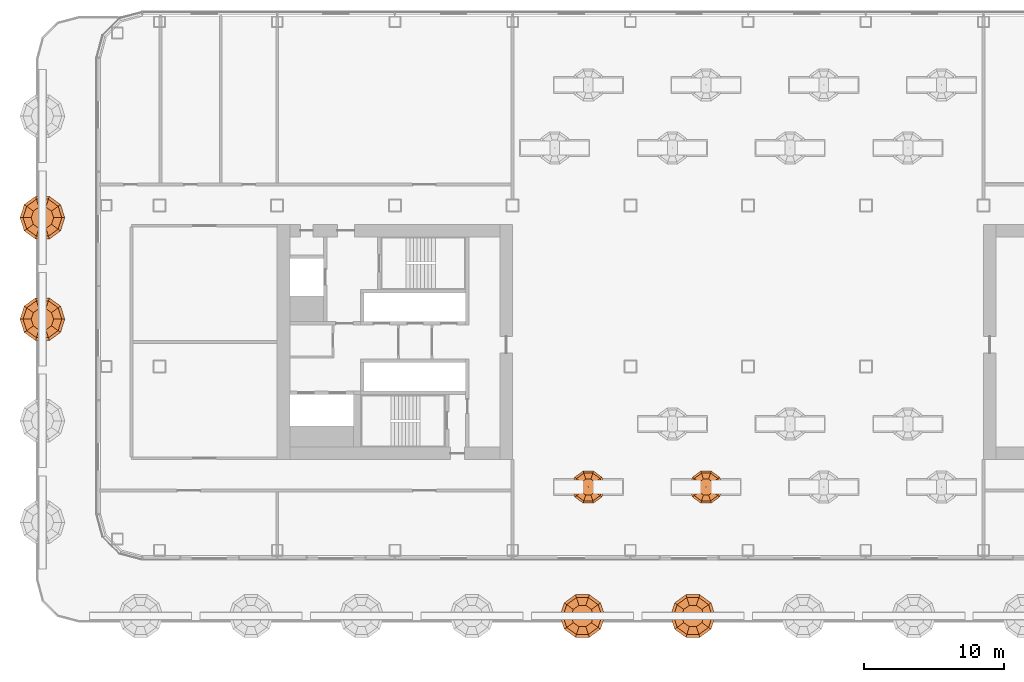
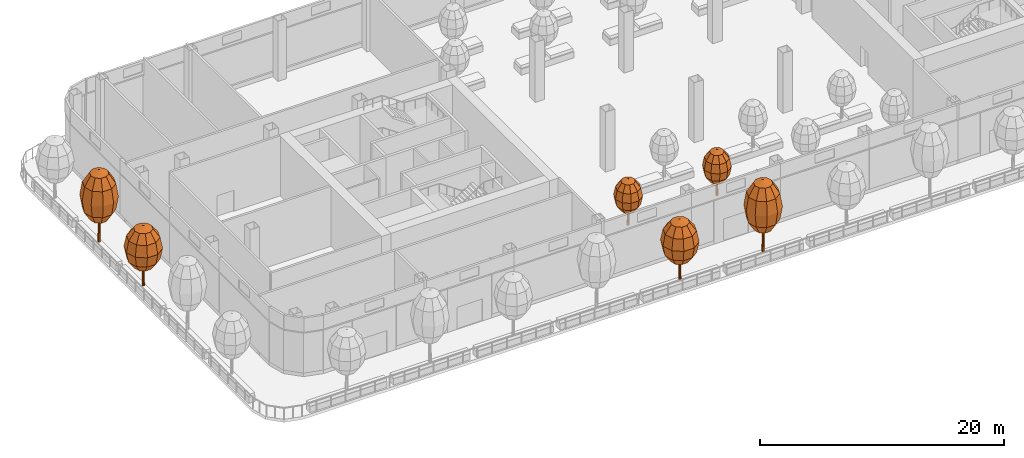
# One storey, part 39 of 44: 6 geographic elements.
"""IFC4 building model written with IfcOpenShell, lengths in metres."""

from ifc_helpers import new_model, si_unit, direction, frame, origin, place, context, subcontext, project, spatial, triangles, material, type_object, element, save


model = new_model("IFC4")

# Units and contexts
model_context = context("Model", 3, precision=1e-05, world=origin(), true_north=direction((0.0, 1.0)))
body_context = subcontext(model_context, "Body", "Model", "MODEL_VIEW")
ifc_project = project(units=[si_unit("LENGTHUNIT", "METRE"), si_unit("AREAUNIT", "SQUARE_METRE"), si_unit("VOLUMEUNIT", "CUBIC_METRE"), si_unit("PLANEANGLEUNIT", "RADIAN"), si_unit("MASSUNIT", "GRAM", prefix="KILO")], contexts=[model_context])

# Site, building, storey
site_placement = place(None, origin())
site = spatial("IfcSite", under=ifc_project, at=site_placement, CompositionType="ELEMENT")
building_placement = place(site_placement, origin())
building = spatial("IfcBuilding", under=site, at=building_placement, Name="Hakoniwa Tower and Hamabe Station Hall", CompositionType="ELEMENT")
storey_placement = place(building_placement, frame((0.0, 0.0, 69.0)))
storey = spatial("IfcBuildingStorey", under=building, at=storey_placement, Name="L19", CompositionType="ELEMENT", Elevation=69.0)

# Geographic elements
ifc_material_1 = material(Name="Tree foliage")
geographic_element_type_1 = type_object("IfcGeographicElementType", Name="Camellia 4.6 m", PredefinedType="USERDEFINED", material=ifc_material_1)
geographic_element_1_placement = place(storey_placement, frame((-11.39990234375, -10.35009765625, 0.60009765625)))
element("IfcGeographicElement", 1, at=geographic_element_1_placement, inside=storey, type_object=geographic_element_type_1, Name="Camellia 4-6 m", ObjectType="TREE", PredefinedType="USERDEFINED", context=body_context, shape_type="Tessellation", body=[
    triangles([(0.125, 0.0, 0.0), (0.08837890625, 0.08837890625, 0.0), (0.0, 0.125, 0.0), (-0.08837890625, 0.08837890625, 0.0), (-0.125, 0.0, 0.0), (-0.08837890625, -0.08837890625, 0.0), (0.0, -0.125, 0.0), (0.08837890625, -0.08837890625, 0.0), (0.074951171875, 0.0, 2.778564453125), (0.052978515625, 0.052978515625, 2.778564453125), (0.0, 0.074951171875, 2.778564453125), (-0.052978515625, 0.052978515625, 2.778564453125), (-0.074951171875, 0.0, 2.778564453125), (-0.052978515625, -0.052978515625, 2.778564453125), (0.0, -0.074951171875, 2.778564453125), (0.052978515625, -0.052978515625, 2.778564453125), (0.0, 0.0, 0.0), (0.0, 0.0, 2.778564453125)], [[1, 2, 10], [1, 10, 9], [17, 2, 1], [18, 9, 10], [2, 3, 11], [2, 11, 10], [17, 3, 2], [18, 10, 11], [3, 4, 12], [3, 12, 11], [17, 4, 3], [18, 11, 12], [4, 5, 13], [4, 13, 12], [17, 5, 4], [18, 12, 13], [5, 6, 14], [5, 14, 13], [17, 6, 5], [18, 13, 14], [6, 7, 15], [6, 15, 14], [17, 7, 6], [18, 14, 15], [7, 8, 16], [7, 16, 15], [17, 8, 7], [18, 15, 16], [8, 1, 9], [8, 9, 16], [17, 1, 8], [18, 16, 9]], closed=True),
    triangles([(0.0, 0.0, 1.2880859375), (0.599853515625, 0.0, 1.510009765625), (0.4853515625, 0.3525390625, 1.510009765625), (0.185302734375, 0.570556640625, 1.510009765625), (-0.185302734375, 0.570556640625, 1.510009765625), (-0.4853515625, 0.3525390625, 1.510009765625), (-0.599853515625, 0.0, 1.510009765625), (-0.4853515625, -0.3525390625, 1.510009765625), (-0.185302734375, -0.570556640625, 1.510009765625), (0.185302734375, -0.570556640625, 1.510009765625), (0.4853515625, -0.3525390625, 1.510009765625), (1.039306640625, 0.0, 2.115966796875), (0.8408203125, 0.61083984375, 2.115966796875), (0.321044921875, 0.98828125, 2.115966796875), (-0.321044921875, 0.98828125, 2.115966796875), (-0.8408203125, 0.61083984375, 2.115966796875), (-1.039306640625, 0.0, 2.115966796875), (-0.8408203125, -0.61083984375, 2.115966796875), (-0.321044921875, -0.98828125, 2.115966796875), (0.321044921875, -0.98828125, 2.115966796875), (0.8408203125, -0.61083984375, 2.115966796875), (1.199951171875, 0.0, 2.944091796875), (0.970703125, 0.705322265625, 2.944091796875), (0.370849609375, 1.14111328125, 2.944091796875), (-0.370849609375, 1.14111328125, 2.944091796875), (-0.970703125, 0.705322265625, 2.944091796875), (-1.199951171875, 0.0, 2.944091796875), (-0.970703125, -0.705322265625, 2.944091796875), (-0.370849609375, -1.14111328125, 2.944091796875), (0.370849609375, -1.14111328125, 2.944091796875), (0.970703125, -0.705322265625, 2.944091796875), (1.039306640625, 0.0, 3.77197265625), (0.8408203125, 0.61083984375, 3.77197265625), (0.321044921875, 0.98828125, 3.77197265625), (-0.321044921875, 0.98828125, 3.77197265625), (-0.8408203125, 0.61083984375, 3.77197265625), (-1.039306640625, 0.0, 3.77197265625), (-0.8408203125, -0.61083984375, 3.77197265625), (-0.321044921875, -0.98828125, 3.77197265625), (0.321044921875, -0.98828125, 3.77197265625), (0.8408203125, -0.61083984375, 3.77197265625), (0.599853515625, 0.0, 4.378173828125), (0.4853515625, 0.3525390625, 4.378173828125), (0.185302734375, 0.570556640625, 4.378173828125), (-0.185302734375, 0.570556640625, 4.378173828125), (-0.4853515625, 0.3525390625, 4.378173828125), (-0.599853515625, 0.0, 4.378173828125), (-0.4853515625, -0.3525390625, 4.378173828125), (-0.185302734375, -0.570556640625, 4.378173828125), (0.185302734375, -0.570556640625, 4.378173828125), (0.4853515625, -0.3525390625, 4.378173828125), (0.0, 0.0, 4.60009765625)], [[1, 3, 2], [1, 4, 3], [1, 5, 4], [1, 6, 5], [1, 7, 6], [1, 8, 7], [1, 9, 8], [1, 10, 9], [1, 11, 10], [1, 2, 11], [2, 3, 13], [2, 13, 12], [3, 4, 14], [3, 14, 13], [4, 5, 15], [4, 15, 14], [5, 6, 16], [5, 16, 15], [6, 7, 17], [6, 17, 16], [7, 8, 18], [7, 18, 17], [8, 9, 19], [8, 19, 18], [9, 10, 20], [9, 20, 19], [10, 11, 21], [10, 21, 20], [11, 2, 12], [11, 12, 21], [12, 13, 23], [12, 23, 22], [13, 14, 24], [13, 24, 23], [14, 15, 25], [14, 25, 24], [15, 16, 26], [15, 26, 25], [16, 17, 27], [16, 27, 26], [17, 18, 28], [17, 28, 27], [18, 19, 29], [18, 29, 28], [19, 20, 30], [19, 30, 29], [20, 21, 31], [20, 31, 30], [21, 12, 22], [21, 22, 31], [22, 23, 33], [22, 33, 32], [23, 24, 34], [23, 34, 33], [24, 25, 35], [24, 35, 34], [25, 26, 36], [25, 36, 35], [26, 27, 37], [26, 37, 36], [27, 28, 38], [27, 38, 37], [28, 29, 39], [28, 39, 38], [29, 30, 40], [29, 40, 39], [30, 31, 41], [30, 41, 40], [31, 22, 32], [31, 32, 41], [32, 33, 43], [32, 43, 42], [33, 34, 44], [33, 44, 43], [34, 35, 45], [34, 45, 44], [35, 36, 46], [35, 46, 45], [36, 37, 47], [36, 47, 46], [37, 38, 48], [37, 48, 47], [38, 39, 49], [38, 49, 48], [39, 40, 50], [39, 50, 49], [40, 41, 51], [40, 51, 50], [41, 32, 42], [41, 42, 51], [52, 42, 43], [52, 43, 44], [52, 44, 45], [52, 45, 46], [52, 46, 47], [52, 47, 48], [52, 48, 49], [52, 49, 50], [52, 50, 51], [52, 51, 42]], closed=True),
])
geographic_element_2_placement = place(storey_placement, frame((-3.0, -10.35009765625, 0.60009765625)))
element("IfcGeographicElement", 2, at=geographic_element_2_placement, inside=storey, type_object=geographic_element_type_1, Name="Camellia 4-6 m", ObjectType="TREE", PredefinedType="USERDEFINED", context=body_context, shape_type="Tessellation", body=[
    triangles([(0.125, 0.0, 0.0), (0.08837890625, 0.08837890625, 0.0), (0.0, 0.125, 0.0), (-0.08837890625, 0.08837890625, 0.0), (-0.125, 0.0, 0.0), (-0.08837890625, -0.08837890625, 0.0), (0.0, -0.125, 0.0), (0.08837890625, -0.08837890625, 0.0), (0.074951171875, 0.0, 2.778564453125), (0.052978515625, 0.052978515625, 2.778564453125), (0.0, 0.074951171875, 2.778564453125), (-0.052978515625, 0.052978515625, 2.778564453125), (-0.074951171875, 0.0, 2.778564453125), (-0.052978515625, -0.052978515625, 2.778564453125), (0.0, -0.074951171875, 2.778564453125), (0.052978515625, -0.052978515625, 2.778564453125), (0.0, 0.0, 0.0), (0.0, 0.0, 2.778564453125)], [[1, 2, 10], [1, 10, 9], [17, 2, 1], [18, 9, 10], [2, 3, 11], [2, 11, 10], [17, 3, 2], [18, 10, 11], [3, 4, 12], [3, 12, 11], [17, 4, 3], [18, 11, 12], [4, 5, 13], [4, 13, 12], [17, 5, 4], [18, 12, 13], [5, 6, 14], [5, 14, 13], [17, 6, 5], [18, 13, 14], [6, 7, 15], [6, 15, 14], [17, 7, 6], [18, 14, 15], [7, 8, 16], [7, 16, 15], [17, 8, 7], [18, 15, 16], [8, 1, 9], [8, 9, 16], [17, 1, 8], [18, 16, 9]], closed=True),
    triangles([(0.0, 0.0, 1.2880859375), (0.599853515625, 0.0, 1.510009765625), (0.4853515625, 0.3525390625, 1.510009765625), (0.185302734375, 0.570556640625, 1.510009765625), (-0.185302734375, 0.570556640625, 1.510009765625), (-0.4853515625, 0.3525390625, 1.510009765625), (-0.599853515625, 0.0, 1.510009765625), (-0.4853515625, -0.3525390625, 1.510009765625), (-0.185302734375, -0.570556640625, 1.510009765625), (0.185302734375, -0.570556640625, 1.510009765625), (0.4853515625, -0.3525390625, 1.510009765625), (1.039306640625, 0.0, 2.115966796875), (0.8408203125, 0.61083984375, 2.115966796875), (0.321044921875, 0.98828125, 2.115966796875), (-0.321044921875, 0.98828125, 2.115966796875), (-0.8408203125, 0.61083984375, 2.115966796875), (-1.039306640625, 0.0, 2.115966796875), (-0.8408203125, -0.61083984375, 2.115966796875), (-0.321044921875, -0.98828125, 2.115966796875), (0.321044921875, -0.98828125, 2.115966796875), (0.8408203125, -0.61083984375, 2.115966796875), (1.199951171875, 0.0, 2.944091796875), (0.970703125, 0.705322265625, 2.944091796875), (0.370849609375, 1.14111328125, 2.944091796875), (-0.370849609375, 1.14111328125, 2.944091796875), (-0.970703125, 0.705322265625, 2.944091796875), (-1.199951171875, 0.0, 2.944091796875), (-0.970703125, -0.705322265625, 2.944091796875), (-0.370849609375, -1.14111328125, 2.944091796875), (0.370849609375, -1.14111328125, 2.944091796875), (0.970703125, -0.705322265625, 2.944091796875), (1.039306640625, 0.0, 3.77197265625), (0.8408203125, 0.61083984375, 3.77197265625), (0.321044921875, 0.98828125, 3.77197265625), (-0.321044921875, 0.98828125, 3.77197265625), (-0.8408203125, 0.61083984375, 3.77197265625), (-1.039306640625, 0.0, 3.77197265625), (-0.8408203125, -0.61083984375, 3.77197265625), (-0.321044921875, -0.98828125, 3.77197265625), (0.321044921875, -0.98828125, 3.77197265625), (0.8408203125, -0.61083984375, 3.77197265625), (0.599853515625, 0.0, 4.378173828125), (0.4853515625, 0.3525390625, 4.378173828125), (0.185302734375, 0.570556640625, 4.378173828125), (-0.185302734375, 0.570556640625, 4.378173828125), (-0.4853515625, 0.3525390625, 4.378173828125), (-0.599853515625, 0.0, 4.378173828125), (-0.4853515625, -0.3525390625, 4.378173828125), (-0.185302734375, -0.570556640625, 4.378173828125), (0.185302734375, -0.570556640625, 4.378173828125), (0.4853515625, -0.3525390625, 4.378173828125), (0.0, 0.0, 4.60009765625)], [[1, 3, 2], [1, 4, 3], [1, 5, 4], [1, 6, 5], [1, 7, 6], [1, 8, 7], [1, 9, 8], [1, 10, 9], [1, 11, 10], [1, 2, 11], [2, 3, 13], [2, 13, 12], [3, 4, 14], [3, 14, 13], [4, 5, 15], [4, 15, 14], [5, 6, 16], [5, 16, 15], [6, 7, 17], [6, 17, 16], [7, 8, 18], [7, 18, 17], [8, 9, 19], [8, 19, 18], [9, 10, 20], [9, 20, 19], [10, 11, 21], [10, 21, 20], [11, 2, 12], [11, 12, 21], [12, 13, 23], [12, 23, 22], [13, 14, 24], [13, 24, 23], [14, 15, 25], [14, 25, 24], [15, 16, 26], [15, 26, 25], [16, 17, 27], [16, 27, 26], [17, 18, 28], [17, 28, 27], [18, 19, 29], [18, 29, 28], [19, 20, 30], [19, 30, 29], [20, 21, 31], [20, 31, 30], [21, 12, 22], [21, 22, 31], [22, 23, 33], [22, 33, 32], [23, 24, 34], [23, 34, 33], [24, 25, 35], [24, 35, 34], [25, 26, 36], [25, 36, 35], [26, 27, 37], [26, 37, 36], [27, 28, 38], [27, 38, 37], [28, 29, 39], [28, 39, 38], [29, 30, 40], [29, 40, 39], [30, 31, 41], [30, 41, 40], [31, 22, 32], [31, 32, 41], [32, 33, 43], [32, 43, 42], [33, 34, 44], [33, 44, 43], [34, 35, 45], [34, 45, 44], [35, 36, 46], [35, 46, 45], [36, 37, 47], [36, 47, 46], [37, 38, 48], [37, 48, 47], [38, 39, 49], [38, 49, 48], [39, 40, 50], [39, 50, 49], [40, 41, 51], [40, 51, 50], [41, 32, 42], [41, 42, 51], [52, 42, 43], [52, 43, 44], [52, 44, 45], [52, 45, 46], [52, 46, 47], [52, 47, 48], [52, 48, 49], [52, 49, 50], [52, 50, 51], [52, 51, 42]], closed=True),
])
ifc_material_2 = material(Name="Tree foliage")
geographic_element_type_2 = type_object("IfcGeographicElementType", Name="Japanese maple 7.2 m", PredefinedType="USERDEFINED", material=ifc_material_2)
geographic_element_3_placement = place(storey_placement, frame((-50.35107421875, 8.869873046875, 0.89990234375)))
element("IfcGeographicElement", 3, at=geographic_element_3_placement, inside=storey, type_object=geographic_element_type_2, Name="Japanese maple 7-2 m", ObjectType="TREE", PredefinedType="USERDEFINED", context=body_context, shape_type="Tessellation", body=[
    triangles([(0.125, 0.0, 0.0), (0.08837890625, 0.08837890625, 0.0), (0.0, 0.125, 0.0), (-0.08837890625, 0.08837890625, 0.0), (-0.125, 0.0, 0.0), (-0.08837890625, -0.08837890625, 0.0), (0.0, -0.125, 0.0), (0.08837890625, -0.08837890625, 0.0), (0.074951171875, 0.0, 4.348876953125), (0.052978515625, 0.052978515625, 4.348876953125), (0.0, 0.074951171875, 4.348876953125), (-0.052978515625, 0.052978515625, 4.348876953125), (-0.074951171875, 0.0, 4.348876953125), (-0.052978515625, -0.052978515625, 4.348876953125), (0.0, -0.074951171875, 4.348876953125), (0.052978515625, -0.052978515625, 4.348876953125), (0.0, 0.0, 0.0), (0.0, 0.0, 4.348876953125)], [[1, 2, 10], [1, 10, 9], [17, 2, 1], [18, 9, 10], [2, 3, 11], [2, 11, 10], [17, 3, 2], [18, 10, 11], [3, 4, 12], [3, 12, 11], [17, 4, 3], [18, 11, 12], [4, 5, 13], [4, 13, 12], [17, 5, 4], [18, 12, 13], [5, 6, 14], [5, 14, 13], [17, 6, 5], [18, 13, 14], [6, 7, 15], [6, 15, 14], [17, 7, 6], [18, 14, 15], [7, 8, 16], [7, 16, 15], [17, 8, 7], [18, 15, 16], [8, 1, 9], [8, 9, 16], [17, 1, 8], [18, 16, 9]], closed=True),
    triangles([(0.0, 0.0, 2.015869140625), (0.800048828125, 0.0, 2.36328125), (0.647216796875, 0.47021484375, 2.36328125), (0.247314453125, 0.7607421875, 2.36328125), (-0.247314453125, 0.7607421875, 2.36328125), (-0.647216796875, 0.47021484375, 2.36328125), (-0.800048828125, 0.0, 2.36328125), (-0.647216796875, -0.47021484375, 2.36328125), (-0.247314453125, -0.7607421875, 2.36328125), (0.247314453125, -0.7607421875, 2.36328125), (0.647216796875, -0.47021484375, 2.36328125), (1.385498046875, 0.0, 3.31201171875), (1.12109375, 0.814453125, 3.31201171875), (0.42822265625, 1.31787109375, 3.31201171875), (-0.42822265625, 1.31787109375, 3.31201171875), (-1.12109375, 0.814453125, 3.31201171875), (-1.385498046875, 0.0, 3.31201171875), (-1.12109375, -0.814453125, 3.31201171875), (-0.42822265625, -1.31787109375, 3.31201171875), (0.42822265625, -1.31787109375, 3.31201171875), (1.12109375, -0.814453125, 3.31201171875), (1.60009765625, 0.0, 4.60791015625), (1.29443359375, 0.9404296875, 4.60791015625), (0.494384765625, 1.521728515625, 4.60791015625), (-0.494384765625, 1.521728515625, 4.60791015625), (-1.29443359375, 0.9404296875, 4.60791015625), (-1.60009765625, 0.0, 4.60791015625), (-1.29443359375, -0.9404296875, 4.60791015625), (-0.494384765625, -1.521728515625, 4.60791015625), (0.494384765625, -1.521728515625, 4.60791015625), (1.29443359375, -0.9404296875, 4.60791015625), (1.385498046875, 0.0, 5.904052734375), (1.12109375, 0.814453125, 5.904052734375), (0.42822265625, 1.31787109375, 5.904052734375), (-0.42822265625, 1.31787109375, 5.904052734375), (-1.12109375, 0.814453125, 5.904052734375), (-1.385498046875, 0.0, 5.904052734375), (-1.12109375, -0.814453125, 5.904052734375), (-0.42822265625, -1.31787109375, 5.904052734375), (0.42822265625, -1.31787109375, 5.904052734375), (1.12109375, -0.814453125, 5.904052734375), (0.800048828125, 0.0, 6.852783203125), (0.647216796875, 0.47021484375, 6.852783203125), (0.247314453125, 0.7607421875, 6.852783203125), (-0.247314453125, 0.7607421875, 6.852783203125), (-0.647216796875, 0.47021484375, 6.852783203125), (-0.800048828125, 0.0, 6.852783203125), (-0.647216796875, -0.47021484375, 6.852783203125), (-0.247314453125, -0.7607421875, 6.852783203125), (0.247314453125, -0.7607421875, 6.852783203125), (0.647216796875, -0.47021484375, 6.852783203125), (0.0, 0.0, 7.199951171875)], [[1, 3, 2], [1, 4, 3], [1, 5, 4], [1, 6, 5], [1, 7, 6], [1, 8, 7], [1, 9, 8], [1, 10, 9], [1, 11, 10], [1, 2, 11], [2, 3, 13], [2, 13, 12], [3, 4, 14], [3, 14, 13], [4, 5, 15], [4, 15, 14], [5, 6, 16], [5, 16, 15], [6, 7, 17], [6, 17, 16], [7, 8, 18], [7, 18, 17], [8, 9, 19], [8, 19, 18], [9, 10, 20], [9, 20, 19], [10, 11, 21], [10, 21, 20], [11, 2, 12], [11, 12, 21], [12, 13, 23], [12, 23, 22], [13, 14, 24], [13, 24, 23], [14, 15, 25], [14, 25, 24], [15, 16, 26], [15, 26, 25], [16, 17, 27], [16, 27, 26], [17, 18, 28], [17, 28, 27], [18, 19, 29], [18, 29, 28], [19, 20, 30], [19, 30, 29], [20, 21, 31], [20, 31, 30], [21, 12, 22], [21, 22, 31], [22, 23, 33], [22, 33, 32], [23, 24, 34], [23, 34, 33], [24, 25, 35], [24, 35, 34], [25, 26, 36], [25, 36, 35], [26, 27, 37], [26, 37, 36], [27, 28, 38], [27, 38, 37], [28, 29, 39], [28, 39, 38], [29, 30, 40], [29, 40, 39], [30, 31, 41], [30, 41, 40], [31, 22, 32], [31, 32, 41], [32, 33, 43], [32, 43, 42], [33, 34, 44], [33, 44, 43], [34, 35, 45], [34, 45, 44], [35, 36, 46], [35, 46, 45], [36, 37, 47], [36, 47, 46], [37, 38, 48], [37, 48, 47], [38, 39, 49], [38, 49, 48], [39, 40, 50], [39, 50, 49], [40, 41, 51], [40, 51, 50], [41, 32, 42], [41, 42, 51], [52, 42, 43], [52, 43, 44], [52, 44, 45], [52, 45, 46], [52, 46, 47], [52, 47, 48], [52, 48, 49], [52, 49, 50], [52, 50, 51], [52, 51, 42]], closed=True),
])
geographic_element_4_placement = place(storey_placement, frame((-3.940673828125, -19.551025390625, 0.89990234375)))
element("IfcGeographicElement", 4, at=geographic_element_4_placement, inside=storey, type_object=geographic_element_type_2, Name="Japanese maple 7-2 m", ObjectType="TREE", PredefinedType="USERDEFINED", context=body_context, shape_type="Tessellation", body=[
    triangles([(0.125, 0.0, 0.0), (0.08837890625, 0.08837890625, 0.0), (0.0, 0.125, 0.0), (-0.08837890625, 0.08837890625, 0.0), (-0.125, 0.0, 0.0), (-0.08837890625, -0.08837890625, 0.0), (0.0, -0.125, 0.0), (0.08837890625, -0.08837890625, 0.0), (0.074951171875, 0.0, 4.348876953125), (0.052978515625, 0.052978515625, 4.348876953125), (0.0, 0.074951171875, 4.348876953125), (-0.052978515625, 0.052978515625, 4.348876953125), (-0.074951171875, 0.0, 4.348876953125), (-0.052978515625, -0.052978515625, 4.348876953125), (0.0, -0.074951171875, 4.348876953125), (0.052978515625, -0.052978515625, 4.348876953125), (0.0, 0.0, 0.0), (0.0, 0.0, 4.348876953125)], [[1, 2, 10], [1, 10, 9], [17, 2, 1], [18, 9, 10], [2, 3, 11], [2, 11, 10], [17, 3, 2], [18, 10, 11], [3, 4, 12], [3, 12, 11], [17, 4, 3], [18, 11, 12], [4, 5, 13], [4, 13, 12], [17, 5, 4], [18, 12, 13], [5, 6, 14], [5, 14, 13], [17, 6, 5], [18, 13, 14], [6, 7, 15], [6, 15, 14], [17, 7, 6], [18, 14, 15], [7, 8, 16], [7, 16, 15], [17, 8, 7], [18, 15, 16], [8, 1, 9], [8, 9, 16], [17, 1, 8], [18, 16, 9]], closed=True),
    triangles([(0.0, 0.0, 2.015869140625), (0.800048828125, 0.0, 2.36328125), (0.647216796875, 0.47021484375, 2.36328125), (0.247314453125, 0.7607421875, 2.36328125), (-0.247314453125, 0.7607421875, 2.36328125), (-0.647216796875, 0.47021484375, 2.36328125), (-0.800048828125, 0.0, 2.36328125), (-0.647216796875, -0.47021484375, 2.36328125), (-0.247314453125, -0.7607421875, 2.36328125), (0.247314453125, -0.7607421875, 2.36328125), (0.647216796875, -0.47021484375, 2.36328125), (1.385498046875, 0.0, 3.31201171875), (1.12109375, 0.814453125, 3.31201171875), (0.42822265625, 1.31787109375, 3.31201171875), (-0.42822265625, 1.31787109375, 3.31201171875), (-1.12109375, 0.814453125, 3.31201171875), (-1.385498046875, 0.0, 3.31201171875), (-1.12109375, -0.814453125, 3.31201171875), (-0.42822265625, -1.31787109375, 3.31201171875), (0.42822265625, -1.31787109375, 3.31201171875), (1.12109375, -0.814453125, 3.31201171875), (1.60009765625, 0.0, 4.60791015625), (1.29443359375, 0.9404296875, 4.60791015625), (0.494384765625, 1.521728515625, 4.60791015625), (-0.494384765625, 1.521728515625, 4.60791015625), (-1.29443359375, 0.9404296875, 4.60791015625), (-1.60009765625, 0.0, 4.60791015625), (-1.29443359375, -0.9404296875, 4.60791015625), (-0.494384765625, -1.521728515625, 4.60791015625), (0.494384765625, -1.521728515625, 4.60791015625), (1.29443359375, -0.9404296875, 4.60791015625), (1.385498046875, 0.0, 5.904052734375), (1.12109375, 0.814453125, 5.904052734375), (0.42822265625, 1.31787109375, 5.904052734375), (-0.42822265625, 1.31787109375, 5.904052734375), (-1.12109375, 0.814453125, 5.904052734375), (-1.385498046875, 0.0, 5.904052734375), (-1.12109375, -0.814453125, 5.904052734375), (-0.42822265625, -1.31787109375, 5.904052734375), (0.42822265625, -1.31787109375, 5.904052734375), (1.12109375, -0.814453125, 5.904052734375), (0.800048828125, 0.0, 6.852783203125), (0.647216796875, 0.47021484375, 6.852783203125), (0.247314453125, 0.7607421875, 6.852783203125), (-0.247314453125, 0.7607421875, 6.852783203125), (-0.647216796875, 0.47021484375, 6.852783203125), (-0.800048828125, 0.0, 6.852783203125), (-0.647216796875, -0.47021484375, 6.852783203125), (-0.247314453125, -0.7607421875, 6.852783203125), (0.247314453125, -0.7607421875, 6.852783203125), (0.647216796875, -0.47021484375, 6.852783203125), (0.0, 0.0, 7.199951171875)], [[1, 3, 2], [1, 4, 3], [1, 5, 4], [1, 6, 5], [1, 7, 6], [1, 8, 7], [1, 9, 8], [1, 10, 9], [1, 11, 10], [1, 2, 11], [2, 3, 13], [2, 13, 12], [3, 4, 14], [3, 14, 13], [4, 5, 15], [4, 15, 14], [5, 6, 16], [5, 16, 15], [6, 7, 17], [6, 17, 16], [7, 8, 18], [7, 18, 17], [8, 9, 19], [8, 19, 18], [9, 10, 20], [9, 20, 19], [10, 11, 21], [10, 21, 20], [11, 2, 12], [11, 12, 21], [12, 13, 23], [12, 23, 22], [13, 14, 24], [13, 24, 23], [14, 15, 25], [14, 25, 24], [15, 16, 26], [15, 26, 25], [16, 17, 27], [16, 27, 26], [17, 18, 28], [17, 28, 27], [18, 19, 29], [18, 29, 28], [19, 20, 30], [19, 30, 29], [20, 21, 31], [20, 31, 30], [21, 12, 22], [21, 22, 31], [22, 23, 33], [22, 33, 32], [23, 24, 34], [23, 34, 33], [24, 25, 35], [24, 35, 34], [25, 26, 36], [25, 36, 35], [26, 27, 37], [26, 37, 36], [27, 28, 38], [27, 38, 37], [28, 29, 39], [28, 39, 38], [29, 30, 40], [29, 40, 39], [30, 31, 41], [30, 41, 40], [31, 22, 32], [31, 32, 41], [32, 33, 43], [32, 43, 42], [33, 34, 44], [33, 44, 43], [34, 35, 45], [34, 45, 44], [35, 36, 46], [35, 46, 45], [36, 37, 47], [36, 47, 46], [37, 38, 48], [37, 48, 47], [38, 39, 49], [38, 49, 48], [39, 40, 50], [39, 50, 49], [40, 41, 51], [40, 51, 50], [41, 32, 42], [41, 42, 51], [52, 42, 43], [52, 43, 44], [52, 44, 45], [52, 45, 46], [52, 46, 47], [52, 47, 48], [52, 48, 49], [52, 49, 50], [52, 50, 51], [52, 51, 42]], closed=True),
])
ifc_material_3 = material(Name="Tree foliage")
geographic_element_type_3 = type_object("IfcGeographicElementType", Name="Osmanthus 6.0 m", PredefinedType="USERDEFINED", material=ifc_material_3)
geographic_element_5_placement = place(storey_placement, frame((-50.35107421875, 1.625, 0.89990234375)))
element("IfcGeographicElement", 5, at=geographic_element_5_placement, inside=storey, type_object=geographic_element_type_3, Name="Osmanthus 6-0 m", ObjectType="TREE", PredefinedType="USERDEFINED", context=body_context, shape_type="Tessellation", body=[
    triangles([(0.125, 0.0, 0.0), (0.08837890625, 0.08837890625, 0.0), (0.0, 0.125, 0.0), (-0.08837890625, 0.08837890625, 0.0), (-0.125, 0.0, 0.0), (-0.08837890625, -0.08837890625, 0.0), (0.0, -0.125, 0.0), (0.08837890625, -0.08837890625, 0.0), (0.074951171875, 0.0, 3.6240234375), (0.052978515625, 0.052978515625, 3.6240234375), (0.0, 0.074951171875, 3.6240234375), (-0.052978515625, 0.052978515625, 3.6240234375), (-0.074951171875, 0.0, 3.6240234375), (-0.052978515625, -0.052978515625, 3.6240234375), (0.0, -0.074951171875, 3.6240234375), (0.052978515625, -0.052978515625, 3.6240234375), (0.0, 0.0, 0.0), (0.0, 0.0, 3.6240234375)], [[1, 2, 10], [1, 10, 9], [17, 2, 1], [18, 9, 10], [2, 3, 11], [2, 11, 10], [17, 3, 2], [18, 10, 11], [3, 4, 12], [3, 12, 11], [17, 4, 3], [18, 11, 12], [4, 5, 13], [4, 13, 12], [17, 5, 4], [18, 12, 13], [5, 6, 14], [5, 14, 13], [17, 6, 5], [18, 13, 14], [6, 7, 15], [6, 15, 14], [17, 7, 6], [18, 14, 15], [7, 8, 16], [7, 16, 15], [17, 8, 7], [18, 15, 16], [8, 1, 9], [8, 9, 16], [17, 1, 8], [18, 16, 9]], closed=True),
    triangles([(0.0, 0.0, 1.679931640625), (0.800048828125, 0.0, 1.969482421875), (0.647216796875, 0.47021484375, 1.969482421875), (0.247314453125, 0.7607421875, 1.969482421875), (-0.247314453125, 0.7607421875, 1.969482421875), (-0.647216796875, 0.47021484375, 1.969482421875), (-0.800048828125, 0.0, 1.969482421875), (-0.647216796875, -0.47021484375, 1.969482421875), (-0.247314453125, -0.7607421875, 1.969482421875), (0.247314453125, -0.7607421875, 1.969482421875), (0.647216796875, -0.47021484375, 1.969482421875), (1.385498046875, 0.0, 2.760009765625), (1.12109375, 0.814453125, 2.760009765625), (0.42822265625, 1.31787109375, 2.760009765625), (-0.42822265625, 1.31787109375, 2.760009765625), (-1.12109375, 0.814453125, 2.760009765625), (-1.385498046875, 0.0, 2.760009765625), (-1.12109375, -0.814453125, 2.760009765625), (-0.42822265625, -1.31787109375, 2.760009765625), (0.42822265625, -1.31787109375, 2.760009765625), (1.12109375, -0.814453125, 2.760009765625), (1.60009765625, 0.0, 3.840087890625), (1.29443359375, 0.9404296875, 3.840087890625), (0.494384765625, 1.521728515625, 3.840087890625), (-0.494384765625, 1.521728515625, 3.840087890625), (-1.29443359375, 0.9404296875, 3.840087890625), (-1.60009765625, 0.0, 3.840087890625), (-1.29443359375, -0.9404296875, 3.840087890625), (-0.494384765625, -1.521728515625, 3.840087890625), (0.494384765625, -1.521728515625, 3.840087890625), (1.29443359375, -0.9404296875, 3.840087890625), (1.385498046875, 0.0, 4.919921875), (1.12109375, 0.814453125, 4.919921875), (0.42822265625, 1.31787109375, 4.919921875), (-0.42822265625, 1.31787109375, 4.919921875), (-1.12109375, 0.814453125, 4.919921875), (-1.385498046875, 0.0, 4.919921875), (-1.12109375, -0.814453125, 4.919921875), (-0.42822265625, -1.31787109375, 4.919921875), (0.42822265625, -1.31787109375, 4.919921875), (1.12109375, -0.814453125, 4.919921875), (0.800048828125, 0.0, 5.710693359375), (0.647216796875, 0.47021484375, 5.710693359375), (0.247314453125, 0.7607421875, 5.710693359375), (-0.247314453125, 0.7607421875, 5.710693359375), (-0.647216796875, 0.47021484375, 5.710693359375), (-0.800048828125, 0.0, 5.710693359375), (-0.647216796875, -0.47021484375, 5.710693359375), (-0.247314453125, -0.7607421875, 5.710693359375), (0.247314453125, -0.7607421875, 5.710693359375), (0.647216796875, -0.47021484375, 5.710693359375), (0.0, 0.0, 6.0)], [[1, 3, 2], [1, 4, 3], [1, 5, 4], [1, 6, 5], [1, 7, 6], [1, 8, 7], [1, 9, 8], [1, 10, 9], [1, 11, 10], [1, 2, 11], [2, 3, 13], [2, 13, 12], [3, 4, 14], [3, 14, 13], [4, 5, 15], [4, 15, 14], [5, 6, 16], [5, 16, 15], [6, 7, 17], [6, 17, 16], [7, 8, 18], [7, 18, 17], [8, 9, 19], [8, 19, 18], [9, 10, 20], [9, 20, 19], [10, 11, 21], [10, 21, 20], [11, 2, 12], [11, 12, 21], [12, 13, 23], [12, 23, 22], [13, 14, 24], [13, 24, 23], [14, 15, 25], [14, 25, 24], [15, 16, 26], [15, 26, 25], [16, 17, 27], [16, 27, 26], [17, 18, 28], [17, 28, 27], [18, 19, 29], [18, 29, 28], [19, 20, 30], [19, 30, 29], [20, 21, 31], [20, 31, 30], [21, 12, 22], [21, 22, 31], [22, 23, 33], [22, 33, 32], [23, 24, 34], [23, 34, 33], [24, 25, 35], [24, 35, 34], [25, 26, 36], [25, 36, 35], [26, 27, 37], [26, 37, 36], [27, 28, 38], [27, 38, 37], [28, 29, 39], [28, 39, 38], [29, 30, 40], [29, 40, 39], [30, 31, 41], [30, 41, 40], [31, 22, 32], [31, 32, 41], [32, 33, 43], [32, 43, 42], [33, 34, 44], [33, 44, 43], [34, 35, 45], [34, 45, 44], [35, 36, 46], [35, 46, 45], [36, 37, 47], [36, 47, 46], [37, 38, 48], [37, 48, 47], [38, 39, 49], [38, 49, 48], [39, 40, 50], [39, 50, 49], [40, 41, 51], [40, 51, 50], [41, 32, 42], [41, 42, 51], [52, 42, 43], [52, 43, 44], [52, 44, 45], [52, 45, 46], [52, 46, 47], [52, 47, 48], [52, 48, 49], [52, 49, 50], [52, 50, 51], [52, 51, 42]], closed=True),
])
geographic_element_6_placement = place(storey_placement, frame((-11.82177734375, -19.551025390625, 0.89990234375)))
element("IfcGeographicElement", 6, at=geographic_element_6_placement, inside=storey, type_object=geographic_element_type_3, Name="Osmanthus 6-0 m", ObjectType="TREE", PredefinedType="USERDEFINED", context=body_context, shape_type="Tessellation", body=[
    triangles([(0.125, 0.0, 0.0), (0.08837890625, 0.08837890625, 0.0), (0.0, 0.125, 0.0), (-0.08837890625, 0.08837890625, 0.0), (-0.125, 0.0, 0.0), (-0.08837890625, -0.08837890625, 0.0), (0.0, -0.125, 0.0), (0.08837890625, -0.08837890625, 0.0), (0.074951171875, 0.0, 3.6240234375), (0.052978515625, 0.052978515625, 3.6240234375), (0.0, 0.074951171875, 3.6240234375), (-0.052978515625, 0.052978515625, 3.6240234375), (-0.074951171875, 0.0, 3.6240234375), (-0.052978515625, -0.052978515625, 3.6240234375), (0.0, -0.074951171875, 3.6240234375), (0.052978515625, -0.052978515625, 3.6240234375), (0.0, 0.0, 0.0), (0.0, 0.0, 3.6240234375)], [[1, 2, 10], [1, 10, 9], [17, 2, 1], [18, 9, 10], [2, 3, 11], [2, 11, 10], [17, 3, 2], [18, 10, 11], [3, 4, 12], [3, 12, 11], [17, 4, 3], [18, 11, 12], [4, 5, 13], [4, 13, 12], [17, 5, 4], [18, 12, 13], [5, 6, 14], [5, 14, 13], [17, 6, 5], [18, 13, 14], [6, 7, 15], [6, 15, 14], [17, 7, 6], [18, 14, 15], [7, 8, 16], [7, 16, 15], [17, 8, 7], [18, 15, 16], [8, 1, 9], [8, 9, 16], [17, 1, 8], [18, 16, 9]], closed=True),
    triangles([(0.0, 0.0, 1.679931640625), (0.800048828125, 0.0, 1.969482421875), (0.647216796875, 0.47021484375, 1.969482421875), (0.247314453125, 0.7607421875, 1.969482421875), (-0.247314453125, 0.7607421875, 1.969482421875), (-0.647216796875, 0.47021484375, 1.969482421875), (-0.800048828125, 0.0, 1.969482421875), (-0.647216796875, -0.47021484375, 1.969482421875), (-0.247314453125, -0.7607421875, 1.969482421875), (0.247314453125, -0.7607421875, 1.969482421875), (0.647216796875, -0.47021484375, 1.969482421875), (1.385498046875, 0.0, 2.760009765625), (1.12109375, 0.814453125, 2.760009765625), (0.42822265625, 1.31787109375, 2.760009765625), (-0.42822265625, 1.31787109375, 2.760009765625), (-1.12109375, 0.814453125, 2.760009765625), (-1.385498046875, 0.0, 2.760009765625), (-1.12109375, -0.814453125, 2.760009765625), (-0.42822265625, -1.31787109375, 2.760009765625), (0.42822265625, -1.31787109375, 2.760009765625), (1.12109375, -0.814453125, 2.760009765625), (1.60009765625, 0.0, 3.840087890625), (1.29443359375, 0.9404296875, 3.840087890625), (0.494384765625, 1.521728515625, 3.840087890625), (-0.494384765625, 1.521728515625, 3.840087890625), (-1.29443359375, 0.9404296875, 3.840087890625), (-1.60009765625, 0.0, 3.840087890625), (-1.29443359375, -0.9404296875, 3.840087890625), (-0.494384765625, -1.521728515625, 3.840087890625), (0.494384765625, -1.521728515625, 3.840087890625), (1.29443359375, -0.9404296875, 3.840087890625), (1.385498046875, 0.0, 4.919921875), (1.12109375, 0.814453125, 4.919921875), (0.42822265625, 1.31787109375, 4.919921875), (-0.42822265625, 1.31787109375, 4.919921875), (-1.12109375, 0.814453125, 4.919921875), (-1.385498046875, 0.0, 4.919921875), (-1.12109375, -0.814453125, 4.919921875), (-0.42822265625, -1.31787109375, 4.919921875), (0.42822265625, -1.31787109375, 4.919921875), (1.12109375, -0.814453125, 4.919921875), (0.800048828125, 0.0, 5.710693359375), (0.647216796875, 0.47021484375, 5.710693359375), (0.247314453125, 0.7607421875, 5.710693359375), (-0.247314453125, 0.7607421875, 5.710693359375), (-0.647216796875, 0.47021484375, 5.710693359375), (-0.800048828125, 0.0, 5.710693359375), (-0.647216796875, -0.47021484375, 5.710693359375), (-0.247314453125, -0.7607421875, 5.710693359375), (0.247314453125, -0.7607421875, 5.710693359375), (0.647216796875, -0.47021484375, 5.710693359375), (0.0, 0.0, 6.0)], [[1, 3, 2], [1, 4, 3], [1, 5, 4], [1, 6, 5], [1, 7, 6], [1, 8, 7], [1, 9, 8], [1, 10, 9], [1, 11, 10], [1, 2, 11], [2, 3, 13], [2, 13, 12], [3, 4, 14], [3, 14, 13], [4, 5, 15], [4, 15, 14], [5, 6, 16], [5, 16, 15], [6, 7, 17], [6, 17, 16], [7, 8, 18], [7, 18, 17], [8, 9, 19], [8, 19, 18], [9, 10, 20], [9, 20, 19], [10, 11, 21], [10, 21, 20], [11, 2, 12], [11, 12, 21], [12, 13, 23], [12, 23, 22], [13, 14, 24], [13, 24, 23], [14, 15, 25], [14, 25, 24], [15, 16, 26], [15, 26, 25], [16, 17, 27], [16, 27, 26], [17, 18, 28], [17, 28, 27], [18, 19, 29], [18, 29, 28], [19, 20, 30], [19, 30, 29], [20, 21, 31], [20, 31, 30], [21, 12, 22], [21, 22, 31], [22, 23, 33], [22, 33, 32], [23, 24, 34], [23, 34, 33], [24, 25, 35], [24, 35, 34], [25, 26, 36], [25, 36, 35], [26, 27, 37], [26, 37, 36], [27, 28, 38], [27, 38, 37], [28, 29, 39], [28, 39, 38], [29, 30, 40], [29, 40, 39], [30, 31, 41], [30, 41, 40], [31, 22, 32], [31, 32, 41], [32, 33, 43], [32, 43, 42], [33, 34, 44], [33, 44, 43], [34, 35, 45], [34, 45, 44], [35, 36, 46], [35, 46, 45], [36, 37, 47], [36, 47, 46], [37, 38, 48], [37, 48, 47], [38, 39, 49], [38, 49, 48], [39, 40, 50], [39, 50, 49], [40, 41, 51], [40, 51, 50], [41, 32, 42], [41, 42, 51], [52, 42, 43], [52, 43, 44], [52, 44, 45], [52, 45, 46], [52, 46, 47], [52, 47, 48], [52, 48, 49], [52, 49, 50], [52, 50, 51], [52, 51, 42]], closed=True),
])

save(model, "model.ifc")
